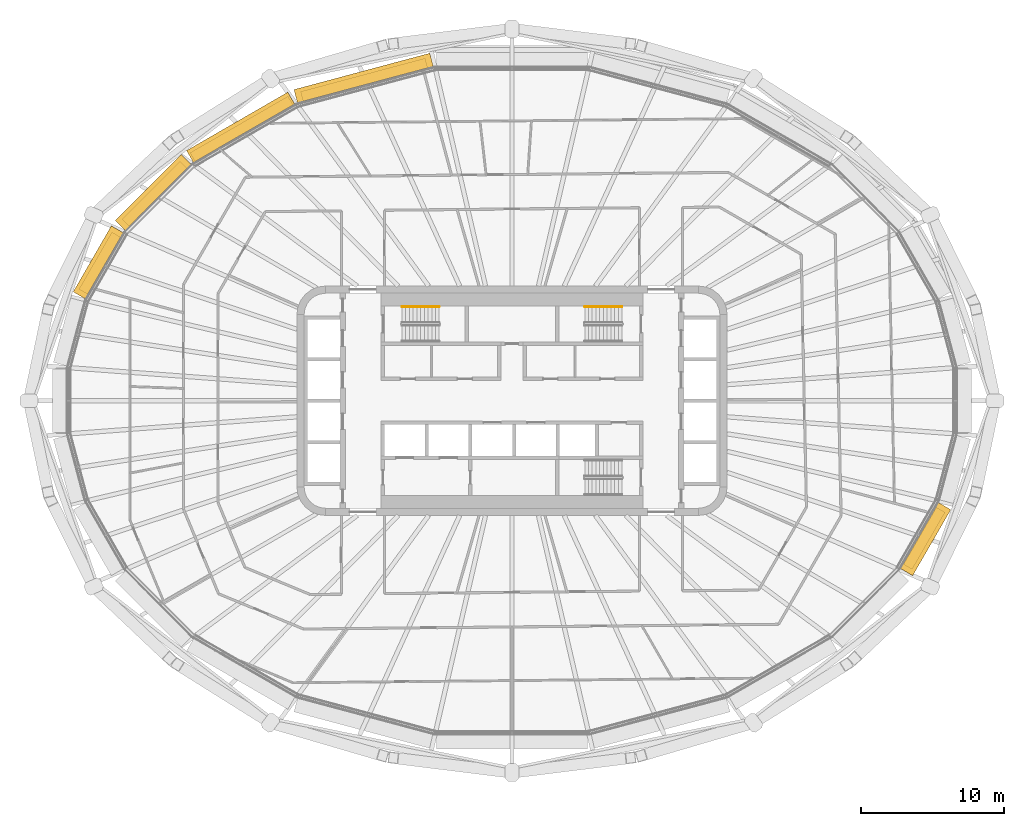
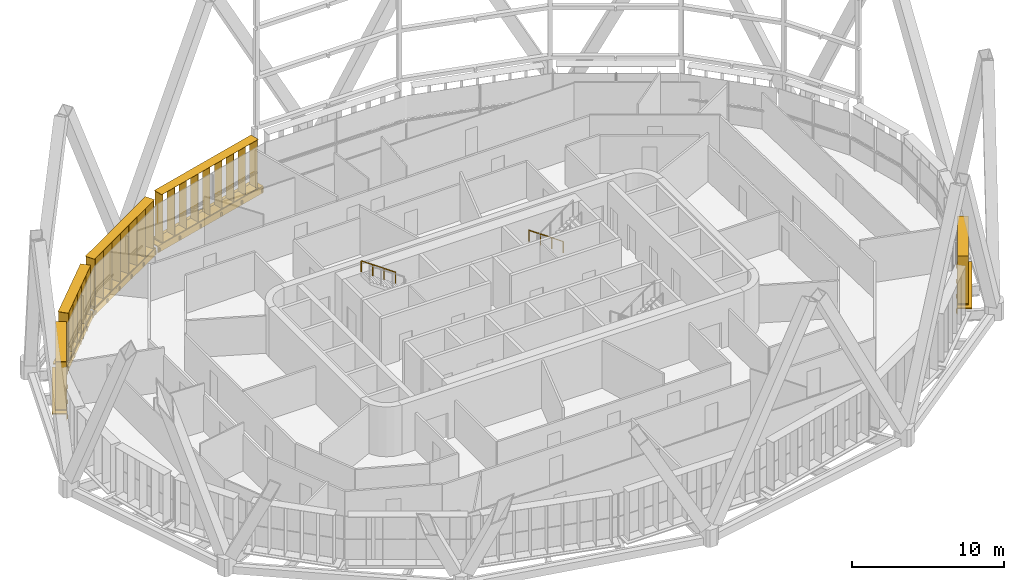
# One storey, part 23 of 25: 10 shading devices, 2 railings.
"""IFC4 building model written with IfcOpenShell, lengths in metres."""

from ifc_helpers import new_model, si_unit, direction, frame, origin, origin_2d, place, context, subcontext, project, spatial, rectangle, circle, extrude, material, type_object, element, save


model = new_model("IFC4")

# Units and contexts
model_context = context("Model", 3, precision=1e-05, world=origin(), true_north=direction((0.0, 1.0)))
body_context = subcontext(model_context, "Body", "Model", "MODEL_VIEW")
ifc_project = project(units=[si_unit("LENGTHUNIT", "METRE"), si_unit("AREAUNIT", "SQUARE_METRE"), si_unit("VOLUMEUNIT", "CUBIC_METRE"), si_unit("PLANEANGLEUNIT", "RADIAN"), si_unit("MASSUNIT", "GRAM", prefix="KILO")], contexts=[model_context])

# Site, building, storey
site_placement = place(None, origin())
site = spatial("IfcSite", under=ifc_project, at=site_placement, CompositionType="ELEMENT")
building_placement = place(site_placement, origin())
building = spatial("IfcBuilding", under=site, at=building_placement, Name="Sahrelin Media Tower", CompositionType="ELEMENT")
storey_placement = place(building_placement, frame((0.0, 0.0, 181.60009765625)))
storey = spatial("IfcBuildingStorey", under=building, at=storey_placement, Name="L38", CompositionType="ELEMENT", Elevation=181.60009765625)

# Shading devices
ifc_material_1 = material(Name="Champagne anodised aluminium 6063-T6", Category="aluminium")
shading_device_type_1 = type_object("IfcShadingDeviceType", Name="Fin cassette", PredefinedType="USERDEFINED", material=ifc_material_1)
placement_1 = place(storey_placement, frame((-10.2041015625, 21.97900390625, 0.0), z_axis=(0.0, 0.0, 1.0), x_axis=(0.965928857556, 0.258807731996, 0.0)))
element("IfcShadingDevice", 1, at=placement_1, inside=storey, type_object=shading_device_type_1, Name="L38:FIN:L38-07", ObjectType="FIN", PredefinedType="USERDEFINED", context=body_context, shape_type="SweptSolid", body=[
    extrude(rectangle(XDim=9.0, YDim=0.699951171875, at=origin_2d()), frame((0.0, 0.419921875, 0.0)), (0.0, 0.0, 1.0), 0.02001953125),
    extrude(rectangle(XDim=9.0, YDim=0.699951171875, at=origin_2d()), frame((0.0, 0.419921875, 3.89990234375)), (0.0, 0.0, 1.0), 0.02001953125),
    extrude(rectangle(XDim=0.02001953125, YDim=0.699951171875, at=origin_2d()), frame((-4.39990234375, 0.419921875, 0.010009765625), z_axis=(0.0, 0.0, 1.0), x_axis=(1.0, 0.0, 0.0)), (0.0, 0.0, 1.0), 3.89990234375),
    extrude(rectangle(XDim=0.02001953125, YDim=0.699951171875, at=origin_2d()), frame((-3.300048828125, 0.419921875, 0.010009765625), z_axis=(0.0, 0.0, 1.0), x_axis=(1.0, 0.0, 0.0)), (0.0, 0.0, 1.0), 3.89990234375),
    extrude(rectangle(XDim=0.02001953125, YDim=0.699951171875, at=origin_2d()), frame((-2.199951171875, 0.419921875, 0.010009765625), z_axis=(0.0, 0.0, 1.0), x_axis=(1.0, 0.0, 0.0)), (0.0, 0.0, 1.0), 3.89990234375),
    extrude(rectangle(XDim=0.02001953125, YDim=0.699951171875, at=origin_2d()), frame((-1.10009765625, 0.419921875, 0.010009765625), z_axis=(0.0, 0.0, 1.0), x_axis=(1.0, 0.0, 0.0)), (0.0, 0.0, 1.0), 3.89990234375),
    extrude(rectangle(XDim=0.02001953125, YDim=0.699951171875, at=origin_2d()), frame((0.0, 0.419921875, 0.010009765625), z_axis=(0.0, 0.0, 1.0), x_axis=(1.0, 0.0, 0.0)), (0.0, 0.0, 1.0), 3.89990234375),
    extrude(rectangle(XDim=0.02001953125, YDim=0.699951171875, at=origin_2d()), frame((1.10009765625, 0.419921875, 0.010009765625), z_axis=(0.0, 0.0, 1.0), x_axis=(1.0, 0.0, 0.0)), (0.0, 0.0, 1.0), 3.89990234375),
    extrude(rectangle(XDim=0.02001953125, YDim=0.699951171875, at=origin_2d()), frame((2.199951171875, 0.419921875, 0.010009765625), z_axis=(0.0, 0.0, 1.0), x_axis=(1.0, 0.0, 0.0)), (0.0, 0.0, 1.0), 3.89990234375),
    extrude(rectangle(XDim=0.02001953125, YDim=0.699951171875, at=origin_2d()), frame((3.300048828125, 0.419921875, 0.010009765625), z_axis=(0.0, 0.0, 1.0), x_axis=(1.0, 0.0, 0.0)), (0.0, 0.0, 1.0), 3.89990234375),
    extrude(rectangle(XDim=0.02001953125, YDim=0.699951171875, at=origin_2d()), frame((4.39990234375, 0.419921875, 0.010009765625), z_axis=(0.0, 0.0, 1.0), x_axis=(1.0, 0.0, 0.0)), (0.0, 0.0, 1.0), 3.89990234375),
])
placement_2 = place(storey_placement, frame((-18.652099609375, 18.5966796875, 0.0), z_axis=(0.0, 0.0, 1.0), x_axis=(0.866019052629, 0.500011000363, 0.0)))
element("IfcShadingDevice", 2, at=placement_2, inside=storey, type_object=shading_device_type_1, Name="L38:FIN:L38-08", ObjectType="FIN", PredefinedType="USERDEFINED", context=body_context, shape_type="SweptSolid", body=[
    extrude(rectangle(XDim=7.89990234375, YDim=0.699951171875, at=origin_2d()), frame((0.0, 0.419921875, 0.0)), (0.0, 0.0, 1.0), 0.02001953125),
    extrude(rectangle(XDim=7.89990234375, YDim=0.699951171875, at=origin_2d()), frame((0.0, 0.419921875, 3.89990234375)), (0.0, 0.0, 1.0), 0.02001953125),
    extrude(rectangle(XDim=0.02001953125, YDim=0.699951171875, at=origin_2d()), frame((-3.85009765625, 0.419921875, 0.010009765625), z_axis=(0.0, 0.0, 1.0), x_axis=(1.0, 0.0, 0.0)), (0.0, 0.0, 1.0), 3.89990234375),
    extrude(rectangle(XDim=0.02001953125, YDim=0.699951171875, at=origin_2d()), frame((-2.75, 0.419921875, 0.010009765625), z_axis=(0.0, 0.0, 1.0), x_axis=(1.0, 0.0, 0.0)), (0.0, 0.0, 1.0), 3.89990234375),
    extrude(rectangle(XDim=0.02001953125, YDim=0.699951171875, at=origin_2d()), frame((-1.64990234375, 0.419921875, 0.010009765625), z_axis=(0.0, 0.0, 1.0), x_axis=(1.0, 0.0, 0.0)), (0.0, 0.0, 1.0), 3.89990234375),
    extrude(rectangle(XDim=0.02001953125, YDim=0.699951171875, at=origin_2d()), frame((-0.550048828125, 0.419921875, 0.010009765625), z_axis=(0.0, 0.0, 1.0), x_axis=(1.0, 0.0, 0.0)), (0.0, 0.0, 1.0), 3.89990234375),
    extrude(rectangle(XDim=0.02001953125, YDim=0.699951171875, at=origin_2d()), frame((0.550048828125, 0.419921875, 0.010009765625), z_axis=(0.0, 0.0, 1.0), x_axis=(1.0, 0.0, 0.0)), (0.0, 0.0, 1.0), 3.89990234375),
    extrude(rectangle(XDim=0.02001953125, YDim=0.699951171875, at=origin_2d()), frame((1.64990234375, 0.419921875, 0.010009765625), z_axis=(0.0, 0.0, 1.0), x_axis=(1.0, 0.0, 0.0)), (0.0, 0.0, 1.0), 3.89990234375),
    extrude(rectangle(XDim=0.02001953125, YDim=0.699951171875, at=origin_2d()), frame((2.75, 0.419921875, 0.010009765625), z_axis=(0.0, 0.0, 1.0), x_axis=(1.0, 0.0, 0.0)), (0.0, 0.0, 1.0), 3.89990234375),
    extrude(rectangle(XDim=0.02001953125, YDim=0.699951171875, at=origin_2d()), frame((3.85009765625, 0.419921875, 0.010009765625), z_axis=(0.0, 0.0, 1.0), x_axis=(1.0, 0.0, 0.0)), (0.0, 0.0, 1.0), 3.89990234375),
])
placement_3 = place(storey_placement, frame((-24.635986328125, 14.140625, 0.0), z_axis=(0.0, 0.0, 1.0), x_axis=(0.707106781187, 0.707106781187, 0.0)))
element("IfcShadingDevice", 3, at=placement_3, inside=storey, type_object=shading_device_type_1, Name="L38:FIN:L38-09", ObjectType="FIN", PredefinedType="USERDEFINED", context=body_context, shape_type="SweptSolid", body=[
    extrude(rectangle(XDim=5.699951171875, YDim=0.699951171875, at=origin_2d()), frame((0.0, 0.419921875, 0.0)), (0.0, 0.0, 1.0), 0.02001953125),
    extrude(rectangle(XDim=5.699951171875, YDim=0.699951171875, at=origin_2d()), frame((0.0, 0.419921875, 3.89990234375)), (0.0, 0.0, 1.0), 0.02001953125),
    extrude(rectangle(XDim=0.02001953125, YDim=0.699951171875, at=origin_2d()), frame((-2.75, 0.419921875, 0.010009765625), z_axis=(0.0, 0.0, 1.0), x_axis=(1.0, 0.0, 0.0)), (0.0, 0.0, 1.0), 3.89990234375),
    extrude(rectangle(XDim=0.02001953125, YDim=0.699951171875, at=origin_2d()), frame((-1.64990234375, 0.419921875, 0.010009765625), z_axis=(0.0, 0.0, 1.0), x_axis=(1.0, 0.0, 0.0)), (0.0, 0.0, 1.0), 3.89990234375),
    extrude(rectangle(XDim=0.02001953125, YDim=0.699951171875, at=origin_2d()), frame((-0.550048828125, 0.419921875, 0.010009765625), z_axis=(0.0, 0.0, 1.0), x_axis=(1.0, 0.0, 0.0)), (0.0, 0.0, 1.0), 3.89990234375),
    extrude(rectangle(XDim=0.02001953125, YDim=0.699951171875, at=origin_2d()), frame((0.550048828125, 0.419921875, 0.010009765625), z_axis=(0.0, 0.0, 1.0), x_axis=(1.0, 0.0, 0.0)), (0.0, 0.0, 1.0), 3.89990234375),
    extrude(rectangle(XDim=0.02001953125, YDim=0.699951171875, at=origin_2d()), frame((1.64990234375, 0.419921875, 0.010009765625), z_axis=(0.0, 0.0, 1.0), x_axis=(1.0, 0.0, 0.0)), (0.0, 0.0, 1.0), 3.89990234375),
    extrude(rectangle(XDim=0.02001953125, YDim=0.699951171875, at=origin_2d()), frame((2.75, 0.419921875, 0.010009765625), z_axis=(0.0, 0.0, 1.0), x_axis=(1.0, 0.0, 0.0)), (0.0, 0.0, 1.0), 3.89990234375),
])
placement_4 = place(storey_placement, frame((-28.3828125, 9.384521484375, 0.0), z_axis=(0.0, 0.0, 1.0), x_axis=(0.500011000363, 0.866019052629, 0.0)))
element("IfcShadingDevice", 4, at=placement_4, inside=storey, type_object=shading_device_type_1, Name="L38:FIN:L38-10", ObjectType="FIN", PredefinedType="USERDEFINED", context=body_context, shape_type="SweptSolid", body=[
    extrude(rectangle(XDim=4.60009765625, YDim=0.699951171875, at=origin_2d()), frame((0.0, 0.419921875, 0.0)), (0.0, 0.0, 1.0), 0.02001953125),
    extrude(rectangle(XDim=4.60009765625, YDim=0.699951171875, at=origin_2d()), frame((0.0, 0.419921875, 3.89990234375)), (0.0, 0.0, 1.0), 0.02001953125),
    extrude(rectangle(XDim=0.02001953125, YDim=0.699951171875, at=origin_2d()), frame((-2.199951171875, 0.419921875, 0.010009765625), z_axis=(0.0, 0.0, 1.0), x_axis=(1.0, 0.0, 0.0)), (0.0, 0.0, 1.0), 3.89990234375),
    extrude(rectangle(XDim=0.02001953125, YDim=0.699951171875, at=origin_2d()), frame((-1.10009765625, 0.419921875, 0.010009765625), z_axis=(0.0, 0.0, 1.0), x_axis=(1.0, 0.0, 0.0)), (0.0, 0.0, 1.0), 3.89990234375),
    extrude(rectangle(XDim=0.02001953125, YDim=0.699951171875, at=origin_2d()), frame((0.0, 0.419921875, 0.010009765625), z_axis=(0.0, 0.0, 1.0), x_axis=(1.0, 0.0, 0.0)), (0.0, 0.0, 1.0), 3.89990234375),
    extrude(rectangle(XDim=0.02001953125, YDim=0.699951171875, at=origin_2d()), frame((1.10009765625, 0.419921875, 0.010009765625), z_axis=(0.0, 0.0, 1.0), x_axis=(1.0, 0.0, 0.0)), (0.0, 0.0, 1.0), 3.89990234375),
    extrude(rectangle(XDim=0.02001953125, YDim=0.699951171875, at=origin_2d()), frame((2.199951171875, 0.419921875, 0.010009765625), z_axis=(0.0, 0.0, 1.0), x_axis=(1.0, 0.0, 0.0)), (0.0, 0.0, 1.0), 3.89990234375),
])
placement_5 = place(storey_placement, frame((28.3828125, -9.384521484375, 0.0), z_axis=(0.0, 0.0, 1.0), x_axis=(-0.500011000363, -0.866019052629, 0.0)))
element("IfcShadingDevice", 5, at=placement_5, inside=storey, type_object=shading_device_type_1, Name="L38:FIN:L38-22", ObjectType="FIN", PredefinedType="USERDEFINED", context=body_context, shape_type="SweptSolid", body=[
    extrude(rectangle(XDim=4.60009765625, YDim=0.699951171875, at=origin_2d()), frame((0.0, 0.419921875, 0.0)), (0.0, 0.0, 1.0), 0.02001953125),
    extrude(rectangle(XDim=4.60009765625, YDim=0.699951171875, at=origin_2d()), frame((0.0, 0.419921875, 3.89990234375)), (0.0, 0.0, 1.0), 0.02001953125),
    extrude(rectangle(XDim=0.02001953125, YDim=0.699951171875, at=origin_2d()), frame((-2.199951171875, 0.419921875, 0.010009765625), z_axis=(0.0, 0.0, 1.0), x_axis=(1.0, 0.0, 0.0)), (0.0, 0.0, 1.0), 3.89990234375),
    extrude(rectangle(XDim=0.02001953125, YDim=0.699951171875, at=origin_2d()), frame((-1.10009765625, 0.419921875, 0.010009765625), z_axis=(0.0, 0.0, 1.0), x_axis=(1.0, 0.0, 0.0)), (0.0, 0.0, 1.0), 3.89990234375),
    extrude(rectangle(XDim=0.02001953125, YDim=0.699951171875, at=origin_2d()), frame((0.0, 0.419921875, 0.010009765625), z_axis=(0.0, 0.0, 1.0), x_axis=(1.0, 0.0, 0.0)), (0.0, 0.0, 1.0), 3.89990234375),
    extrude(rectangle(XDim=0.02001953125, YDim=0.699951171875, at=origin_2d()), frame((1.10009765625, 0.419921875, 0.010009765625), z_axis=(0.0, 0.0, 1.0), x_axis=(1.0, 0.0, 0.0)), (0.0, 0.0, 1.0), 3.89990234375),
    extrude(rectangle(XDim=0.02001953125, YDim=0.699951171875, at=origin_2d()), frame((2.199951171875, 0.419921875, 0.010009765625), z_axis=(0.0, 0.0, 1.0), x_axis=(1.0, 0.0, 0.0)), (0.0, 0.0, 1.0), 3.89990234375),
])

# Railings
ifc_material_2 = material(Name="Steel S355", Category="steel")
railing_type = type_object("IfcRailingType", Name="Stair handrail 900", PredefinedType="HANDRAIL", material=ifc_material_2)
for number, where, name in (
    (6, (-5.074951171875, 6.550048828125, 2.181640625), "L38 ST1 stair handrail 2"),
    (7, (7.675048828125, 6.550048828125, 0.181640625), "L38 ST3 stair handrail 1"),
):
    element("IfcRailing", number, at=place(storey_placement, frame(where)), inside=storey, type_object=railing_type, Name=name, PredefinedType="HANDRAIL", context=body_context, shape_type="SweptSolid", body=[
        extrude(circle(Radius=0.02392578125, at=origin_2d()), frame((0.0, 0.0, 0.8759765625), z_axis=(-0.819484887739, 0.0, 0.573100792852), x_axis=(0.0, -1.0, 0.0)), (0.0, 0.0, 1.0), 3.1728515625),
        extrude(circle(Radius=0.02099609375, at=origin_2d()), origin(), (0.0, 0.0, 1.0), 0.851806640625),
        extrude(circle(Radius=0.02099609375, at=origin_2d()), frame((-0.86669921875, 0.0, 0.606201171875)), (0.0, 0.0, 1.0), 0.851806640625),
        extrude(circle(Radius=0.02099609375, at=origin_2d()), frame((-1.7333984375, 0.0, 1.212158203125)), (0.0, 0.0, 1.0), 0.851806640625),
        extrude(circle(Radius=0.02099609375, at=origin_2d()), frame((-2.60009765625, 0.0, 1.818359375)), (0.0, 0.0, 1.0), 0.851806640625),
    ])

# Shading devices
shading_device_type_2 = type_object("IfcShadingDeviceType", Name="Sunshade band", PredefinedType="USERDEFINED", material=ifc_material_1)
element("IfcShadingDevice", 8, at=placement_1, inside=storey, type_object=shading_device_type_2, Name="L38:SUN:L38-07", ObjectType="SUNSHADE", PredefinedType="USERDEFINED", context=body_context, shape_type="SweptSolid", body=[
    extrude(rectangle(XDim=9.805908203125, YDim=0.050048828125, at=origin_2d()), frame((0.0, 0.044921875, -0.55126953125)), (0.0, 0.0, 1.0), 0.471435546875),
    extrude(rectangle(XDim=9.805908203125, YDim=1.0, at=origin_2d()), frame((0.0, 0.52001953125, -0.080078125)), (0.0, 0.0, 1.0), 0.080078125),
    extrude(rectangle(XDim=0.10009765625, YDim=0.074951171875, at=origin_2d()), frame((-4.802978515625, -0.017578125, -0.47021484375)), (0.0, 0.0, 1.0), 0.300048828125),
    extrude(rectangle(XDim=0.10009765625, YDim=0.074951171875, at=origin_2d()), frame((-2.8818359375, -0.017578125, -0.47021484375)), (0.0, 0.0, 1.0), 0.300048828125),
    extrude(rectangle(XDim=0.10009765625, YDim=0.074951171875, at=origin_2d()), frame((-0.960693359375, -0.017578125, -0.47021484375)), (0.0, 0.0, 1.0), 0.300048828125),
    extrude(rectangle(XDim=0.10009765625, YDim=0.074951171875, at=origin_2d()), frame((0.960693359375, -0.017578125, -0.47021484375)), (0.0, 0.0, 1.0), 0.300048828125),
    extrude(rectangle(XDim=0.10009765625, YDim=0.074951171875, at=origin_2d()), frame((2.8818359375, -0.017578125, -0.47021484375)), (0.0, 0.0, 1.0), 0.300048828125),
    extrude(rectangle(XDim=0.10009765625, YDim=0.074951171875, at=origin_2d()), frame((4.802978515625, -0.017578125, -0.47021484375)), (0.0, 0.0, 1.0), 0.300048828125),
])
element("IfcShadingDevice", 9, at=placement_2, inside=storey, type_object=shading_device_type_2, Name="L38:SUN:L38-08", ObjectType="SUNSHADE", PredefinedType="USERDEFINED", context=body_context, shape_type="SweptSolid", body=[
    extrude(rectangle(XDim=8.149658203125, YDim=0.050048828125, at=origin_2d()), frame((0.0, 0.044921875, -0.55126953125)), (0.0, 0.0, 1.0), 0.471435546875),
    extrude(rectangle(XDim=8.149658203125, YDim=1.0, at=origin_2d()), frame((0.0, 0.52001953125, -0.080078125)), (0.0, 0.0, 1.0), 0.080078125),
    extrude(rectangle(XDim=0.10009765625, YDim=0.074951171875, at=origin_2d()), frame((-3.974853515625, -0.017578125, -0.47021484375)), (0.0, 0.0, 1.0), 0.300048828125),
    extrude(rectangle(XDim=0.10009765625, YDim=0.074951171875, at=origin_2d()), frame((-2.385009765625, -0.017578125, -0.47021484375)), (0.0, 0.0, 1.0), 0.300048828125),
    extrude(rectangle(XDim=0.10009765625, YDim=0.074951171875, at=origin_2d()), frame((-0.794921875, -0.017578125, -0.47021484375)), (0.0, 0.0, 1.0), 0.300048828125),
    extrude(rectangle(XDim=0.10009765625, YDim=0.074951171875, at=origin_2d()), frame((0.794921875, -0.017578125, -0.47021484375)), (0.0, 0.0, 1.0), 0.300048828125),
    extrude(rectangle(XDim=0.10009765625, YDim=0.074951171875, at=origin_2d()), frame((2.385009765625, -0.017578125, -0.47021484375)), (0.0, 0.0, 1.0), 0.300048828125),
    extrude(rectangle(XDim=0.10009765625, YDim=0.074951171875, at=origin_2d()), frame((3.974853515625, -0.017578125, -0.47021484375)), (0.0, 0.0, 1.0), 0.300048828125),
])
element("IfcShadingDevice", 10, at=placement_3, inside=storey, type_object=shading_device_type_2, Name="L38:SUN:L38-09", ObjectType="SUNSHADE", PredefinedType="USERDEFINED", context=body_context, shape_type="SweptSolid", body=[
    extrude(rectangle(XDim=6.4990234375, YDim=0.050048828125, at=origin_2d()), frame((0.0, 0.044921875, -0.55126953125)), (0.0, 0.0, 1.0), 0.471435546875),
    extrude(rectangle(XDim=6.4990234375, YDim=1.0, at=origin_2d()), frame((0.0, 0.52001953125, -0.080078125)), (0.0, 0.0, 1.0), 0.080078125),
    extrude(rectangle(XDim=0.10009765625, YDim=0.074951171875, at=origin_2d()), frame((-3.149658203125, -0.017578125, -0.47021484375)), (0.0, 0.0, 1.0), 0.300048828125),
    extrude(rectangle(XDim=0.10009765625, YDim=0.074951171875, at=origin_2d()), frame((-1.57470703125, -0.017578125, -0.47021484375)), (0.0, 0.0, 1.0), 0.300048828125),
    extrude(rectangle(XDim=0.10009765625, YDim=0.074951171875, at=origin_2d()), frame((0.0, -0.017578125, -0.47021484375)), (0.0, 0.0, 1.0), 0.300048828125),
    extrude(rectangle(XDim=0.10009765625, YDim=0.074951171875, at=origin_2d()), frame((1.57470703125, -0.017578125, -0.47021484375)), (0.0, 0.0, 1.0), 0.300048828125),
    extrude(rectangle(XDim=0.10009765625, YDim=0.074951171875, at=origin_2d()), frame((3.149658203125, -0.017578125, -0.47021484375)), (0.0, 0.0, 1.0), 0.300048828125),
])
element("IfcShadingDevice", 11, at=placement_4, inside=storey, type_object=shading_device_type_2, Name="L38:SUN:L38-10", ObjectType="SUNSHADE", PredefinedType="USERDEFINED", context=body_context, shape_type="SweptSolid", body=[
    extrude(rectangle(XDim=5.313720703125, YDim=0.050048828125, at=origin_2d()), frame((0.0, 0.044921875, -0.55126953125)), (0.0, 0.0, 1.0), 0.471435546875),
    extrude(rectangle(XDim=5.313720703125, YDim=1.0, at=origin_2d()), frame((0.0, 0.52001953125, -0.080078125)), (0.0, 0.0, 1.0), 0.080078125),
    extrude(rectangle(XDim=0.10009765625, YDim=0.074951171875, at=origin_2d()), frame((-2.556884765625, -0.017578125, -0.47021484375)), (0.0, 0.0, 1.0), 0.300048828125),
    extrude(rectangle(XDim=0.10009765625, YDim=0.074951171875, at=origin_2d()), frame((-0.852294921875, -0.017578125, -0.47021484375)), (0.0, 0.0, 1.0), 0.300048828125),
    extrude(rectangle(XDim=0.10009765625, YDim=0.074951171875, at=origin_2d()), frame((0.852294921875, -0.017578125, -0.47021484375)), (0.0, 0.0, 1.0), 0.300048828125),
    extrude(rectangle(XDim=0.10009765625, YDim=0.074951171875, at=origin_2d()), frame((2.556884765625, -0.017578125, -0.47021484375)), (0.0, 0.0, 1.0), 0.300048828125),
])
element("IfcShadingDevice", 12, at=placement_5, inside=storey, type_object=shading_device_type_2, Name="L38:SUN:L38-22", ObjectType="SUNSHADE", PredefinedType="USERDEFINED", context=body_context, shape_type="SweptSolid", body=[
    extrude(rectangle(XDim=5.313720703125, YDim=0.050048828125, at=origin_2d()), frame((0.0, 0.044921875, -0.55126953125)), (0.0, 0.0, 1.0), 0.471435546875),
    extrude(rectangle(XDim=5.313720703125, YDim=1.0, at=origin_2d()), frame((0.0, 0.52001953125, -0.080078125)), (0.0, 0.0, 1.0), 0.080078125),
    extrude(rectangle(XDim=0.10009765625, YDim=0.074951171875, at=origin_2d()), frame((-2.556884765625, -0.017578125, -0.47021484375)), (0.0, 0.0, 1.0), 0.300048828125),
    extrude(rectangle(XDim=0.10009765625, YDim=0.074951171875, at=origin_2d()), frame((-0.852294921875, -0.017578125, -0.47021484375)), (0.0, 0.0, 1.0), 0.300048828125),
    extrude(rectangle(XDim=0.10009765625, YDim=0.074951171875, at=origin_2d()), frame((0.852294921875, -0.017578125, -0.47021484375)), (0.0, 0.0, 1.0), 0.300048828125),
    extrude(rectangle(XDim=0.10009765625, YDim=0.074951171875, at=origin_2d()), frame((2.556884765625, -0.017578125, -0.47021484375)), (0.0, 0.0, 1.0), 0.300048828125),
])

save(model, "model.ifc")
